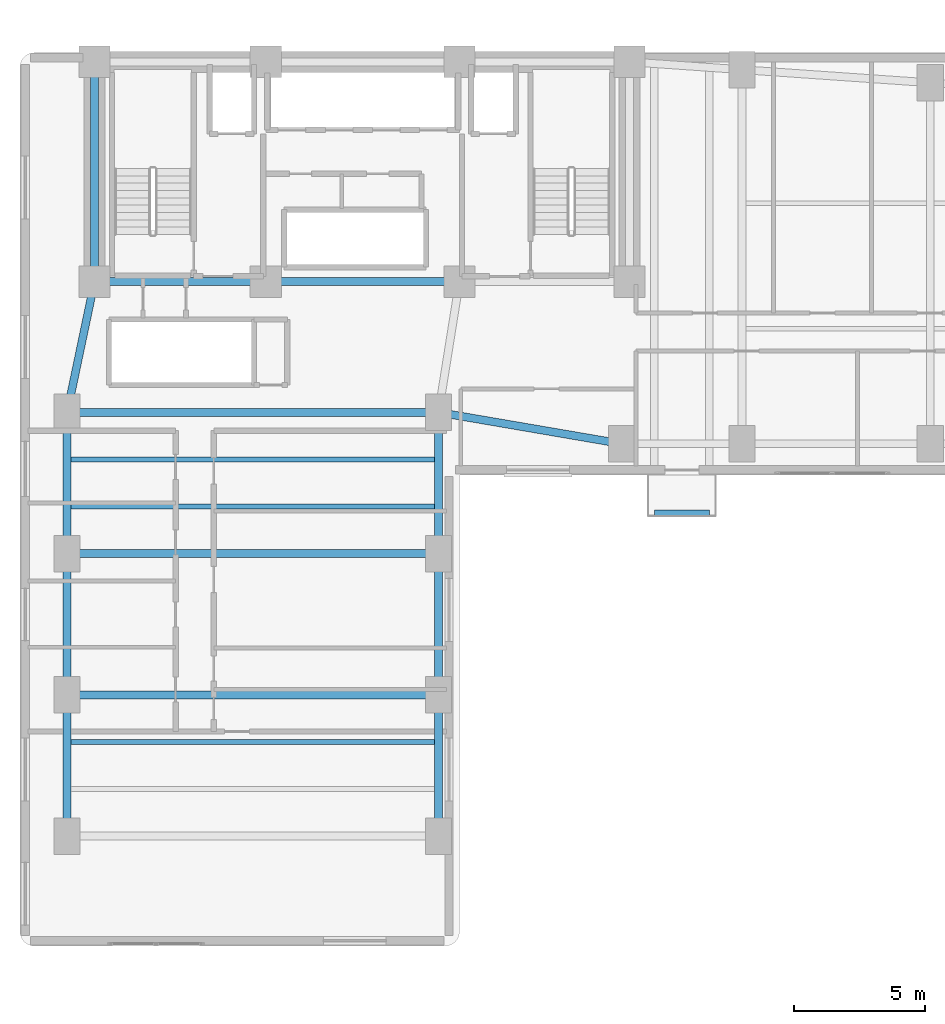
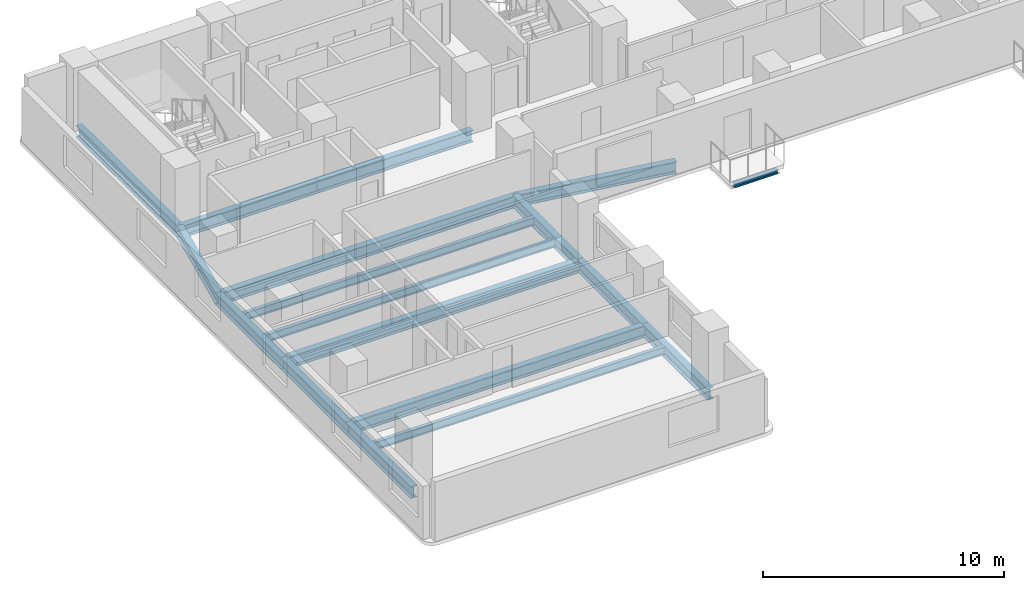
# One storey, part 3 of 14: 18 beams.
"""IFC4 building model written with IfcOpenShell, lengths in metres."""

from ifc_helpers import new_model, si_unit, direction, frame, origin, origin_2d, place, context, subcontext, project, spatial, i_section, extrude, material, material_profile, profile_set, type_object, element, save


model = new_model("IFC4")

# Units and contexts
model_context = context("Model", 3, precision=1e-05, world=origin(), true_north=direction((0.0, 1.0)))
body_context = subcontext(model_context, "Body", "Model", "MODEL_VIEW")
ifc_project = project(units=[si_unit("LENGTHUNIT", "METRE"), si_unit("AREAUNIT", "SQUARE_METRE"), si_unit("VOLUMEUNIT", "CUBIC_METRE"), si_unit("PLANEANGLEUNIT", "RADIAN"), si_unit("MASSUNIT", "GRAM", prefix="KILO")], contexts=[model_context])

# Site, building, storey
site_placement = place(None, origin())
site = spatial("IfcSite", under=ifc_project, at=site_placement, CompositionType="ELEMENT")
building_placement = place(site_placement, origin())
building = spatial("IfcBuilding", under=site, at=building_placement, Name="Kuzgunbayir Cultural Tower", CompositionType="ELEMENT")
storey_placement = place(building_placement, frame((0.0, 0.0, 62.800048828125)))
storey = spatial("IfcBuildingStorey", under=building, at=storey_placement, Name="L17", CompositionType="ELEMENT", Elevation=62.800048828125)

# Beams
ifc_material = material(Name="Steel S355J2", Category="steel")
ifc_material_profile_1 = material_profile(ifc_material, i_section(OverallWidth=0.199951171875, OverallDepth=0.199951171875, WebThickness=0.009033203125, FlangeThickness=0.014892578125, FilletRadius=0.01806640625, at=origin_2d()), Name="HEB 200")
ifc_profile_set_1 = profile_set([ifc_material_profile_1], Name="Steel S355J2")
beam_type_1 = type_object("IfcBeamType", Name="BM-CAN-HEB200", PredefinedType="BEAM", material=ifc_profile_set_1)
beam_1_placement = place(storey_placement, frame((27.85009765625, 24.9599609375, -0.300048828125), z_axis=(1.0, 0.0, 0.0), x_axis=(0.0, 1.0, 0.0)))
element("IfcBeam", 1, at=beam_1_placement, inside=storey, type_object=beam_type_1, Name="L17 Balcony Edge Header BAL-L17-WB1", PredefinedType="BEAM", context=body_context, shape_type="SweptSolid", body=[
    extrude(i_section(OverallWidth=0.199951171875, OverallDepth=0.199951171875, WebThickness=0.009033203125, FlangeThickness=0.014892578125, FilletRadius=0.01806640625, at=origin_2d()), origin(), (0.0, 0.0, 1.0), 2.099853515625),
])
ifc_material_profile_2 = material_profile(ifc_material, i_section(OverallWidth=0.300048828125, OverallDepth=0.60009765625, WebThickness=0.015380859375, FlangeThickness=0.030029296875, FilletRadius=0.027099609375, at=origin_2d()), Name="HEB 600")
ifc_profile_set_2 = profile_set([ifc_material_profile_2], Name="Steel S355J2")
beam_type_2 = type_object("IfcBeamType", Name="BM-EXT-HEB600", PredefinedType="BEAM", material=ifc_profile_set_2)
for number, where, z_axis, x_axis, name in (
    (2, (5.39990234375, 12.60009765625, -0.47998046875), (0.0, 1.0, 0.0), (-1.0, 0.0, 0.0), "L17 Wing A West Girder 1"),
    (3, (19.60009765625, 12.60009765625, -0.47998046875), (0.0, 1.0, 0.0), (-1.0, 0.0, 0.0), "L17 Wing A East Girder 1"),
    (4, (5.39990234375, 18.0, -0.47998046875), (0.0, 1.0, 0.0), (-1.0, 0.0, 0.0), "L17 Wing A West Girder 2"),
    (5, (19.60009765625, 18.0, -0.47998046875), (0.0, 1.0, 0.0), (-1.0, 0.0, 0.0), "L17 Wing A East Girder 2"),
):
    element("IfcBeam", number, at=place(storey_placement, frame(where, z_axis=z_axis, x_axis=x_axis)), inside=storey, type_object=beam_type_2, Name=name, PredefinedType="BEAM", context=body_context, shape_type="SweptSolid", body=[
        extrude(i_section(OverallWidth=0.300048828125, OverallDepth=0.60009765625, WebThickness=0.015380859375, FlangeThickness=0.030029296875, FilletRadius=0.027099609375, at=origin_2d()), origin(), (0.0, 0.0, 1.0), 5.39990234375),
    ])
for number, where, z_axis, x_axis, name in (
    (6, (5.39990234375, 23.39990234375, -0.47998046875), (0.0, 1.0, 0.0), (-1.0, 0.0, 0.0), "L17 Wing A West Girder 3"),
    (7, (19.60009765625, 23.39990234375, -0.47998046875), (0.0, 1.0, 0.0), (-1.0, 0.0, 0.0), "L17 Wing A East Girder 3"),
):
    element("IfcBeam", number, at=place(storey_placement, frame(where, z_axis=z_axis, x_axis=x_axis)), inside=storey, type_object=beam_type_2, Name=name, PredefinedType="BEAM", context=body_context, shape_type="SweptSolid", body=[
        extrude(i_section(OverallWidth=0.300048828125, OverallDepth=0.60009765625, WebThickness=0.015380859375, FlangeThickness=0.030029296875, FilletRadius=0.027099609375, at=origin_2d()), origin(), (0.0, 0.0, 1.0), 5.400146484375),
    ])
ifc_material_profile_3 = material_profile(ifc_material, i_section(OverallWidth=0.300048828125, OverallDepth=0.60009765625, WebThickness=0.015380859375, FlangeThickness=0.030029296875, FilletRadius=0.027099609375, at=origin_2d()), Name="HEB 600")
ifc_profile_set_3 = profile_set([ifc_material_profile_3], Name="Steel S355J2")
beam_type_3 = type_object("IfcBeamType", Name="BM-GIR-HEB600", PredefinedType="BEAM", material=ifc_profile_set_3)
beam_2_placement = place(storey_placement, frame((6.449951171875, 33.800048828125, -0.47998046875), z_axis=(1.0, 0.0, 0.0), x_axis=(0.0, 1.0, 0.0)))
element("IfcBeam", 8, at=beam_2_placement, inside=storey, type_object=beam_type_3, Name="L17 Core South Girder 1", PredefinedType="BEAM", context=body_context, shape_type="SweptSolid", body=[
    extrude(i_section(OverallWidth=0.300048828125, OverallDepth=0.60009765625, WebThickness=0.015380859375, FlangeThickness=0.030029296875, FilletRadius=0.027099609375, at=origin_2d()), origin(), (0.0, 0.0, 1.0), 6.550048828125),
])
beam_3_placement = place(storey_placement, frame((13.0, 33.800048828125, -0.47998046875), z_axis=(1.0, 0.0, 0.0), x_axis=(0.0, 1.0, 0.0)))
element("IfcBeam", 9, at=beam_3_placement, inside=storey, type_object=beam_type_3, Name="L17 Core South Girder 2", PredefinedType="BEAM", context=body_context, shape_type="SweptSolid", body=[
    extrude(i_section(OverallWidth=0.300048828125, OverallDepth=0.60009765625, WebThickness=0.015380859375, FlangeThickness=0.030029296875, FilletRadius=0.027099609375, at=origin_2d()), origin(), (0.0, 0.0, 1.0), 7.39990234375),
])
beam_4_placement = place(storey_placement, frame((6.449951171875, 33.800048828125, -0.47998046875), z_axis=(0.0, 1.0, 0.0), x_axis=(-1.0, 0.0, 0.0)))
element("IfcBeam", 10, at=beam_4_placement, inside=storey, type_object=beam_type_3, Name="L17 Core West Edge Girder", PredefinedType="BEAM", context=body_context, shape_type="SweptSolid", body=[
    extrude(i_section(OverallWidth=0.300048828125, OverallDepth=0.60009765625, WebThickness=0.015380859375, FlangeThickness=0.030029296875, FilletRadius=0.027099609375, at=origin_2d()), origin(), (0.0, 0.0, 1.0), 8.39990234375),
])
for number, where, z_axis, x_axis, name in (
    (11, (5.39990234375, 18.0, -0.47998046875), (1.0, 0.0, 0.0), (0.0, 1.0, 0.0), "L17 Wing A Transverse Girder 2"),
    (12, (5.39990234375, 23.39990234375, -0.47998046875), (1.0, 0.0, 0.0), (0.0, 1.0, 0.0), "L17 Wing A Transverse Girder 3"),
    (13, (5.39990234375, 28.800048828125, -0.47998046875), (1.0, 0.0, 0.0), (0.0, 1.0, 0.0), "L17 Wing A Transverse Girder 4"),
):
    element("IfcBeam", number, at=place(storey_placement, frame(where, z_axis=z_axis, x_axis=x_axis)), inside=storey, type_object=beam_type_3, Name=name, PredefinedType="BEAM", context=body_context, shape_type="SweptSolid", body=[
        extrude(i_section(OverallWidth=0.300048828125, OverallDepth=0.60009765625, WebThickness=0.015380859375, FlangeThickness=0.030029296875, FilletRadius=0.027099609375, at=origin_2d()), origin(), (0.0, 0.0, 1.0), 14.2001953125),
    ])
beam_5_placement = place(storey_placement, frame((5.39990234375, 28.800048828125, -0.47998046875), z_axis=(0.205526387753, 0.978651574329, 0.0), x_axis=(-0.978651574329, 0.205526387753, 0.0)))
element("IfcBeam", 14, at=beam_5_placement, inside=storey, type_object=beam_type_3, Name="L17 Wing A West Core Floor Girder", PredefinedType="BEAM", context=body_context, shape_type="SweptSolid", body=[
    extrude(i_section(OverallWidth=0.300048828125, OverallDepth=0.60009765625, WebThickness=0.015380859375, FlangeThickness=0.030029296875, FilletRadius=0.027099609375, at=origin_2d()), origin(), (0.0, 0.0, 1.0), 5.109130859375),
])
beam_6_placement = place(storey_placement, frame((19.60009765625, 28.800048828125, -0.47998046875), z_axis=(0.985623399742, -0.168957136221, 0.0), x_axis=(0.168957136221, 0.985623399742, 0.0)))
element("IfcBeam", 15, at=beam_6_placement, inside=storey, type_object=beam_type_3, Name="L17 Wing B Waist Tie Girder", PredefinedType="BEAM", context=body_context, shape_type="SweptSolid", body=[
    extrude(i_section(OverallWidth=0.300048828125, OverallDepth=0.60009765625, WebThickness=0.015380859375, FlangeThickness=0.030029296875, FilletRadius=0.027099609375, at=origin_2d()), origin(), (0.0, 0.0, 1.0), 7.10205078125),
])
ifc_material_profile_4 = material_profile(ifc_material, i_section(OverallWidth=0.179931640625, OverallDepth=0.39990234375, WebThickness=0.008544921875, FlangeThickness=0.013427734375, FilletRadius=0.02099609375, at=origin_2d()), Name="IPE 400")
ifc_profile_set_4 = profile_set([ifc_material_profile_4], Name="Steel S355J2")
beam_type_4 = type_object("IfcBeamType", Name="BM-JST-IPE400", PredefinedType="JOIST", material=ifc_profile_set_4)
for number, where, z_axis, x_axis, name in (
    (16, (5.550048828125, 16.199951171875, -0.380126953125), (1.0, 0.0, 0.0), (0.0, 1.0, 0.0), "L17 Wing A Secondary Joist 2"),
    (17, (5.550048828125, 25.199951171875, -0.380126953125), (1.0, 0.0, 0.0), (0.0, 1.0, 0.0), "L17 Wing A Secondary Joist 5"),
    (18, (5.550048828125, 27.0, -0.380126953125), (1.0, 0.0, 0.0), (0.0, 1.0, 0.0), "L17 Wing A Secondary Joist 6"),
):
    element("IfcBeam", number, at=place(storey_placement, frame(where, z_axis=z_axis, x_axis=x_axis)), inside=storey, type_object=beam_type_4, Name=name, PredefinedType="JOIST", context=body_context, shape_type="SweptSolid", body=[
        extrude(i_section(OverallWidth=0.179931640625, OverallDepth=0.39990234375, WebThickness=0.008544921875, FlangeThickness=0.013427734375, FilletRadius=0.02099609375, at=origin_2d()), origin(), (0.0, 0.0, 1.0), 13.89990234375),
    ])

save(model, "model.ifc")
